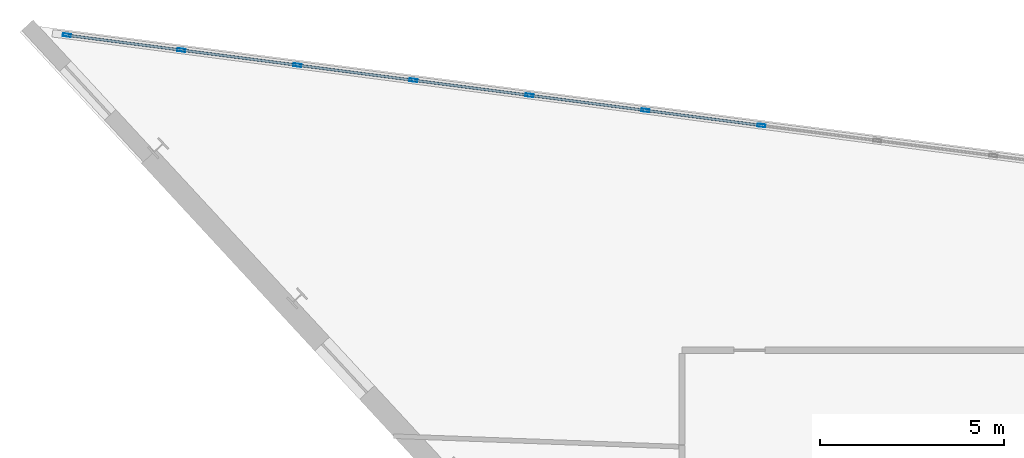
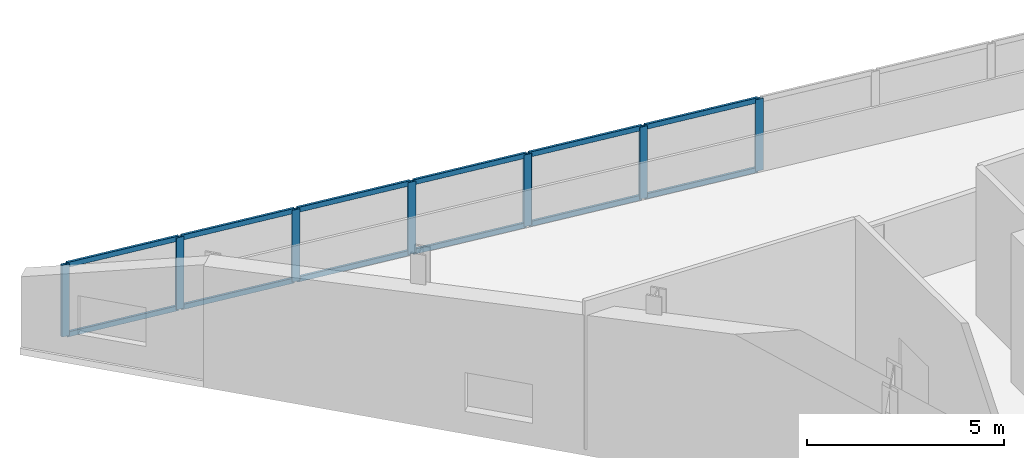
# One storey, part 2 of 7: 19 members, 1 element without a shape of its own.
"""IFC4 building model written with IfcOpenShell, lengths in metres."""

from ifc_helpers import new_model, si_unit, direction, frame, origin, origin_2d, place, context, subcontext, project, spatial, hollow_rectangle, extrude, material, material_profile, profile_set, type_object, element, aggregate, save


model = new_model("IFC4")

# Units and contexts
model_context = context("Model", 3, precision=1e-05, world=origin(), true_north=direction((0.0, 1.0)))
body_context = subcontext(model_context, "Body", "Model", "MODEL_VIEW")
ifc_project = project(units=[si_unit("LENGTHUNIT", "METRE"), si_unit("AREAUNIT", "SQUARE_METRE"), si_unit("VOLUMEUNIT", "CUBIC_METRE"), si_unit("PLANEANGLEUNIT", "RADIAN"), si_unit("MASSUNIT", "GRAM", prefix="KILO")], contexts=[model_context])

# Site, building, storey
site_placement = place(None, origin())
site = spatial("IfcSite", under=ifc_project, at=site_placement, CompositionType="ELEMENT")
building_placement = place(site_placement, origin())
building = spatial("IfcBuilding", under=site, at=building_placement, Name="Narakoshi Arena Tower", CompositionType="ELEMENT")
storey_placement = place(building_placement, frame((0.0, 0.0, 312.580078125)))
storey = spatial("IfcBuildingStorey", under=building, at=storey_placement, Name="L84", CompositionType="ELEMENT", Elevation=312.580078125)

# Curtain wall, members
ifc_material = material(Name="Anodised bronze aluminium 6063-T6", Category="aluminium")
curtain_wall_type = type_object("IfcCurtainWallType", Name="CW-CRN-FACET", PredefinedType="NOTDEFINED", material=ifc_material)
curtain_wall_placement = place(storey_placement, origin())
curtain_wall = element("IfcCurtainWall", 1, at=curtain_wall_placement, inside=storey, type_object=curtain_wall_type, Name="L84 Slanted-Cut Crown Curtain Wall 5-1", PredefinedType="NOTDEFINED")
ifc_material_profile_1 = material_profile(ifc_material, hollow_rectangle(XDim=0.080078125, YDim=0.219970703125, WallThickness=0.0048828125, OuterFilletRadius=0.006103515625, at=origin_2d()), Name="MUL220x80x5")
ifc_profile_set_1 = profile_set([ifc_material_profile_1], Name="Anodised bronze aluminium 6063-T6")
member_type_1 = type_object("IfcMemberType", Name="MEM-MUL-220", PredefinedType="MULLION", material=ifc_profile_set_1)
member_1_placement = place(storey_placement, frame((52.572265625, 57.116455078125, 0.0), z_axis=(0.0, 0.0, 1.0), x_axis=(0.128889713319, 0.991658934211, 0.0)))
member_1 = element("IfcMember", 2, at=member_1_placement, type_object=member_type_1, Name="CW-06 mullion 1", PredefinedType="MULLION", context=body_context, shape_type="SweptSolid", body=[
    extrude(hollow_rectangle(XDim=0.080078125, YDim=0.219970703125, WallThickness=0.0048828125, OuterFilletRadius=0.006103515625, at=origin_2d()), origin(), (0.0, 0.0, 1.0), 2.2216796875),
])
member_2_placement = place(storey_placement, frame((55.686767578125, 56.71142578125, 0.0), z_axis=(0.0, 0.0, 1.0), x_axis=(0.128889713319, 0.991658934211, 0.0)))
member_2 = element("IfcMember", 3, at=member_2_placement, type_object=member_type_1, Name="CW-06 mullion 2", PredefinedType="MULLION", context=body_context, shape_type="SweptSolid", body=[
    extrude(hollow_rectangle(XDim=0.080078125, YDim=0.219970703125, WallThickness=0.0048828125, OuterFilletRadius=0.006103515625, at=origin_2d()), origin(), (0.0, 0.0, 1.0), 2.2216796875),
])
member_3_placement = place(storey_placement, frame((58.8408203125, 56.301513671875, 0.0), z_axis=(0.0, 0.0, 1.0), x_axis=(0.128889713319, 0.991658934211, 0.0)))
member_3 = element("IfcMember", 4, at=member_3_placement, type_object=member_type_1, Name="CW-06 mullion 3", PredefinedType="MULLION", context=body_context, shape_type="SweptSolid", body=[
    extrude(hollow_rectangle(XDim=0.080078125, YDim=0.219970703125, WallThickness=0.0048828125, OuterFilletRadius=0.006103515625, at=origin_2d()), origin(), (0.0, 0.0, 1.0), 2.2216796875),
])
member_4_placement = place(storey_placement, frame((61.9951171875, 55.8916015625, 0.0), z_axis=(0.0, 0.0, 1.0), x_axis=(0.128889713319, 0.991658934211, 0.0)))
member_4 = element("IfcMember", 5, at=member_4_placement, type_object=member_type_1, Name="CW-06 mullion 4", PredefinedType="MULLION", context=body_context, shape_type="SweptSolid", body=[
    extrude(hollow_rectangle(XDim=0.080078125, YDim=0.219970703125, WallThickness=0.0048828125, OuterFilletRadius=0.006103515625, at=origin_2d()), origin(), (0.0, 0.0, 1.0), 2.2216796875),
])
member_5_placement = place(storey_placement, frame((65.149169921875, 55.481689453125, 0.0), z_axis=(0.0, 0.0, 1.0), x_axis=(0.128889713319, 0.991658934211, 0.0)))
member_5 = element("IfcMember", 6, at=member_5_placement, type_object=member_type_1, Name="CW-06 mullion 5", PredefinedType="MULLION", context=body_context, shape_type="SweptSolid", body=[
    extrude(hollow_rectangle(XDim=0.080078125, YDim=0.219970703125, WallThickness=0.0048828125, OuterFilletRadius=0.006103515625, at=origin_2d()), origin(), (0.0, 0.0, 1.0), 2.2216796875),
])
member_6_placement = place(storey_placement, frame((68.303466796875, 55.07177734375, 0.0), z_axis=(0.0, 0.0, 1.0), x_axis=(0.128889713319, 0.991658934211, 0.0)))
member_6 = element("IfcMember", 7, at=member_6_placement, type_object=member_type_1, Name="CW-06 mullion 6", PredefinedType="MULLION", context=body_context, shape_type="SweptSolid", body=[
    extrude(hollow_rectangle(XDim=0.080078125, YDim=0.219970703125, WallThickness=0.0048828125, OuterFilletRadius=0.006103515625, at=origin_2d()), origin(), (0.0, 0.0, 1.0), 2.2216796875),
])
member_7_placement = place(storey_placement, frame((71.45751953125, 54.66162109375, 0.0), z_axis=(0.0, 0.0, 1.0), x_axis=(0.128889713319, 0.991658934211, 0.0)))
member_7 = element("IfcMember", 8, at=member_7_placement, type_object=member_type_1, Name="CW-06 mullion 7", PredefinedType="MULLION", context=body_context, shape_type="SweptSolid", body=[
    extrude(hollow_rectangle(XDim=0.080078125, YDim=0.219970703125, WallThickness=0.0048828125, OuterFilletRadius=0.006103515625, at=origin_2d()), origin(), (0.0, 0.0, 1.0), 2.2216796875),
])
ifc_material_profile_2 = material_profile(ifc_material, hollow_rectangle(XDim=0.070068359375, YDim=0.159912109375, WallThickness=0.00390625, OuterFilletRadius=0.0048828125, at=origin_2d()), Name="TRN160x70x4")
ifc_profile_set_2 = profile_set([ifc_material_profile_2], Name="Anodised bronze aluminium 6063-T6")
member_type_2 = type_object("IfcMemberType", Name="MEM-TRN-160", PredefinedType="USERDEFINED", material=ifc_profile_set_2)
member_8_placement = place(storey_placement, frame((52.61181640625, 57.111083984375, 0.034912109375), z_axis=(0.991667442172, -0.12882423738, 0.0), x_axis=(0.12882423738, 0.991667442172, 0.0)))
member_8 = element("IfcMember", 9, at=member_8_placement, type_object=member_type_2, Name="CW-06 transom 1.1", ObjectType="TRANSOM", PredefinedType="USERDEFINED", context=body_context, shape_type="SweptSolid", body=[
    extrude(hollow_rectangle(XDim=0.070068359375, YDim=0.159912109375, WallThickness=0.00390625, OuterFilletRadius=0.0048828125, at=origin_2d()), origin(), (0.0, 0.0, 1.0), 3.060546875),
])
member_9_placement = place(storey_placement, frame((52.61181640625, 57.111083984375, 2.186767578125), z_axis=(0.991667442172, -0.12882423738, 0.0), x_axis=(0.12882423738, 0.991667442172, 0.0)))
member_9 = element("IfcMember", 10, at=member_9_placement, type_object=member_type_2, Name="CW-06 transom 1.2", ObjectType="TRANSOM", PredefinedType="USERDEFINED", context=body_context, shape_type="SweptSolid", body=[
    extrude(hollow_rectangle(XDim=0.070068359375, YDim=0.159912109375, WallThickness=0.00390625, OuterFilletRadius=0.0048828125, at=origin_2d()), origin(), (0.0, 0.0, 1.0), 3.060546875),
])
member_10_placement = place(storey_placement, frame((55.726318359375, 56.706298828125, 0.034912109375), z_axis=(0.991659139849, -0.128888131158, 0.0), x_axis=(0.128888131158, 0.991659139849, 0.0)))
member_10 = element("IfcMember", 11, at=member_10_placement, type_object=member_type_2, Name="CW-06 transom 2.1", ObjectType="TRANSOM", PredefinedType="USERDEFINED", context=body_context, shape_type="SweptSolid", body=[
    extrude(hollow_rectangle(XDim=0.070068359375, YDim=0.159912109375, WallThickness=0.00390625, OuterFilletRadius=0.0048828125, at=origin_2d()), origin(), (0.0, 0.0, 1.0), 3.100830078125),
])
member_11_placement = place(storey_placement, frame((55.726318359375, 56.706298828125, 2.186767578125), z_axis=(0.991659139849, -0.128888131158, 0.0), x_axis=(0.128888131158, 0.991659139849, 0.0)))
member_11 = element("IfcMember", 12, at=member_11_placement, type_object=member_type_2, Name="CW-06 transom 2.2", ObjectType="TRANSOM", PredefinedType="USERDEFINED", context=body_context, shape_type="SweptSolid", body=[
    extrude(hollow_rectangle(XDim=0.070068359375, YDim=0.159912109375, WallThickness=0.00390625, OuterFilletRadius=0.0048828125, at=origin_2d()), origin(), (0.0, 0.0, 1.0), 3.100830078125),
])
member_12_placement = place(storey_placement, frame((58.880615234375, 56.29638671875, 0.034912109375), z_axis=(0.991657831749, -0.128898195218, 0.0), x_axis=(0.128898195218, 0.991657831749, 0.0)))
member_12 = element("IfcMember", 13, at=member_12_placement, type_object=member_type_2, Name="CW-06 transom 3.1", ObjectType="TRANSOM", PredefinedType="USERDEFINED", context=body_context, shape_type="SweptSolid", body=[
    extrude(hollow_rectangle(XDim=0.070068359375, YDim=0.159912109375, WallThickness=0.00390625, OuterFilletRadius=0.0048828125, at=origin_2d()), origin(), (0.0, 0.0, 1.0), 3.1005859375),
])
member_13_placement = place(storey_placement, frame((58.880615234375, 56.29638671875, 2.186767578125), z_axis=(0.991657831749, -0.128898195218, 0.0), x_axis=(0.128898195218, 0.991657831749, 0.0)))
member_13 = element("IfcMember", 14, at=member_13_placement, type_object=member_type_2, Name="CW-06 transom 3.2", ObjectType="TRANSOM", PredefinedType="USERDEFINED", context=body_context, shape_type="SweptSolid", body=[
    extrude(hollow_rectangle(XDim=0.070068359375, YDim=0.159912109375, WallThickness=0.00390625, OuterFilletRadius=0.0048828125, at=origin_2d()), origin(), (0.0, 0.0, 1.0), 3.1005859375),
])
member_14_placement = place(storey_placement, frame((62.03466796875, 55.886474609375, 0.034912109375), z_axis=(0.991659139849, -0.128888131158, 0.0), x_axis=(0.128888131158, 0.991659139849, 0.0)))
member_14 = element("IfcMember", 15, at=member_14_placement, type_object=member_type_2, Name="CW-06 transom 4.1", ObjectType="TRANSOM", PredefinedType="USERDEFINED", context=body_context, shape_type="SweptSolid", body=[
    extrude(hollow_rectangle(XDim=0.070068359375, YDim=0.159912109375, WallThickness=0.00390625, OuterFilletRadius=0.0048828125, at=origin_2d()), origin(), (0.0, 0.0, 1.0), 3.100830078125),
])
member_15_placement = place(storey_placement, frame((62.03466796875, 55.886474609375, 2.186767578125), z_axis=(0.991659139849, -0.128888131158, 0.0), x_axis=(0.128888131158, 0.991659139849, 0.0)))
member_15 = element("IfcMember", 16, at=member_15_placement, type_object=member_type_2, Name="CW-06 transom 4.2", ObjectType="TRANSOM", PredefinedType="USERDEFINED", context=body_context, shape_type="SweptSolid", body=[
    extrude(hollow_rectangle(XDim=0.070068359375, YDim=0.159912109375, WallThickness=0.00390625, OuterFilletRadius=0.0048828125, at=origin_2d()), origin(), (0.0, 0.0, 1.0), 3.100830078125),
])
member_16_placement = place(storey_placement, frame((65.18896484375, 55.4765625, 0.034912109375), z_axis=(0.991657831749, -0.128898195218, 0.0), x_axis=(0.128898195218, 0.991657831749, 0.0)))
member_16 = element("IfcMember", 17, at=member_16_placement, type_object=member_type_2, Name="CW-06 transom 5.1", ObjectType="TRANSOM", PredefinedType="USERDEFINED", context=body_context, shape_type="SweptSolid", body=[
    extrude(hollow_rectangle(XDim=0.070068359375, YDim=0.159912109375, WallThickness=0.00390625, OuterFilletRadius=0.0048828125, at=origin_2d()), origin(), (0.0, 0.0, 1.0), 3.1005859375),
])
member_17_placement = place(storey_placement, frame((65.18896484375, 55.4765625, 2.186767578125), z_axis=(0.991657831749, -0.128898195218, 0.0), x_axis=(0.128898195218, 0.991657831749, 0.0)))
member_17 = element("IfcMember", 18, at=member_17_placement, type_object=member_type_2, Name="CW-06 transom 5.2", ObjectType="TRANSOM", PredefinedType="USERDEFINED", context=body_context, shape_type="SweptSolid", body=[
    extrude(hollow_rectangle(XDim=0.070068359375, YDim=0.159912109375, WallThickness=0.00390625, OuterFilletRadius=0.0048828125, at=origin_2d()), origin(), (0.0, 0.0, 1.0), 3.1005859375),
])
member_18_placement = place(storey_placement, frame((68.343017578125, 55.066650390625, 0.034912109375), z_axis=(0.991659139849, -0.128888131158, 0.0), x_axis=(0.128888131158, 0.991659139849, 0.0)))
member_18 = element("IfcMember", 19, at=member_18_placement, type_object=member_type_2, Name="CW-06 transom 6.1", ObjectType="TRANSOM", PredefinedType="USERDEFINED", context=body_context, shape_type="SweptSolid", body=[
    extrude(hollow_rectangle(XDim=0.070068359375, YDim=0.159912109375, WallThickness=0.00390625, OuterFilletRadius=0.0048828125, at=origin_2d()), origin(), (0.0, 0.0, 1.0), 3.100830078125),
])
member_19_placement = place(storey_placement, frame((68.343017578125, 55.066650390625, 2.186767578125), z_axis=(0.991659139849, -0.128888131158, 0.0), x_axis=(0.128888131158, 0.991659139849, 0.0)))
member_19 = element("IfcMember", 20, at=member_19_placement, type_object=member_type_2, Name="CW-06 transom 6.2", ObjectType="TRANSOM", PredefinedType="USERDEFINED", context=body_context, shape_type="SweptSolid", body=[
    extrude(hollow_rectangle(XDim=0.070068359375, YDim=0.159912109375, WallThickness=0.00390625, OuterFilletRadius=0.0048828125, at=origin_2d()), origin(), (0.0, 0.0, 1.0), 3.100830078125),
])
aggregate(curtain_wall, [member_1, member_2, member_3, member_4, member_5, member_6, member_7, member_8, member_9, member_10, member_11, member_12, member_13, member_14, member_15, member_16, member_17, member_18, member_19])

save(model, "model.ifc")
